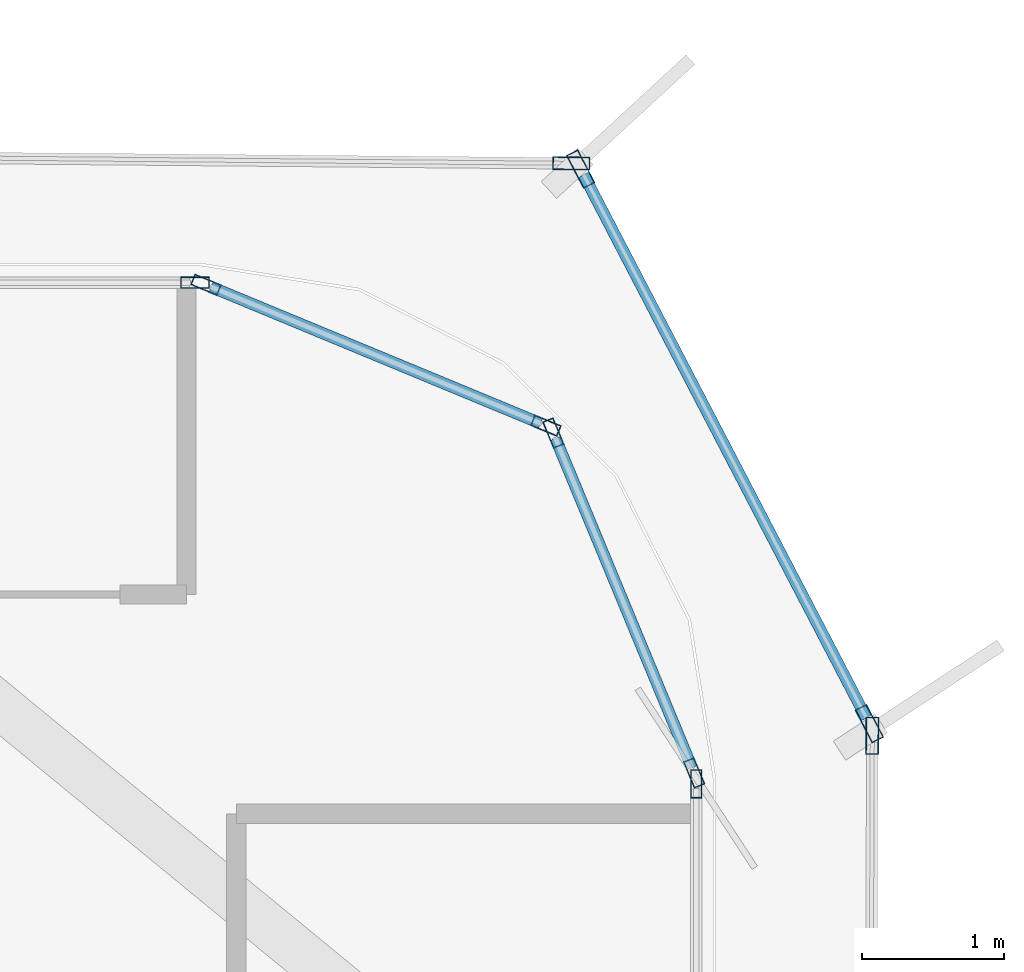
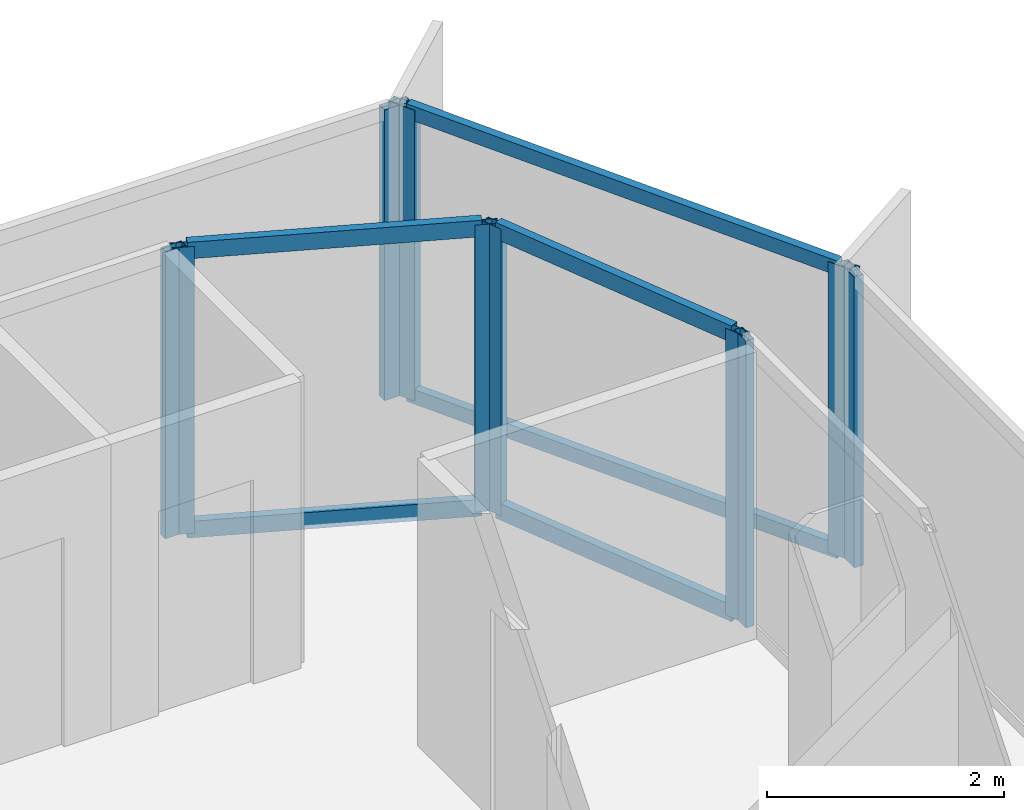
# One storey, part 8 of 15: 16 members, 7 elements without a shape of their own.
"""IFC4 building model written with IfcOpenShell, lengths in metres."""

from ifc_helpers import new_model, si_unit, direction, frame, origin, origin_2d, place, context, subcontext, project, spatial, hollow_rectangle, extrude, source, transform, mapped, material, layer, layer_set, material_profile, profile_set, type_object, element, aggregate, save


model = new_model("IFC4")

# Units and contexts
model_context = context("Model", 3, precision=1e-05, world=origin(), true_north=direction((0.0, 1.0)))
body_context = subcontext(model_context, "Body", "Model", "MODEL_VIEW")
ifc_project = project(units=[si_unit("LENGTHUNIT", "METRE"), si_unit("AREAUNIT", "SQUARE_METRE"), si_unit("VOLUMEUNIT", "CUBIC_METRE"), si_unit("PLANEANGLEUNIT", "RADIAN"), si_unit("MASSUNIT", "GRAM", prefix="KILO")], contexts=[model_context])

# Site, building, storey
site_placement = place(None, origin())
site = spatial("IfcSite", under=ifc_project, at=site_placement, CompositionType="ELEMENT")
building_placement = place(site_placement, origin())
building = spatial("IfcBuilding", under=site, at=building_placement, Name="Kolveth Station Tower", CompositionType="ELEMENT")
storey_placement = place(building_placement, frame((0.0, 0.0, 165.699951171875)))
storey = spatial("IfcBuildingStorey", under=building, at=storey_placement, Name="L46", CompositionType="ELEMENT", Elevation=165.699951171875)

# Curtain wall, member
ifc_material_1 = material(Name="Aluminium 6063-T6 and low-E dark glass", Category="aluminium")
ifc_layer_1 = layer(ifc_material_1, 0.18994140625)
ifc_layer_set_1 = layer_set([ifc_layer_1], Name="Aluminium 6063-T6 and low-E dark glass")
curtain_wall_type_1 = type_object("IfcCurtainWallType", Name="CurtainWall_CW-Z2", PredefinedType="NOTDEFINED", material=ifc_layer_set_1)
curtain_wall_1_placement = place(storey_placement, origin())
curtain_wall_1 = element("IfcCurtainWall", 1, at=curtain_wall_1_placement, inside=storey, type_object=curtain_wall_type_1, Name="L46 Inner Thermal Curtain Wall 3", PredefinedType="NOTDEFINED")
ifc_material_2 = material(Name="Black anodized aluminium 6063-T6", Category="aluminium")
ifc_material_profile_1 = material_profile(ifc_material_2, hollow_rectangle(XDim=0.080078125, YDim=0.199951171875, WallThickness=0.0048828125, at=origin_2d()), Name="ALU-80x200x5")
ifc_profile_set_1 = profile_set([ifc_material_profile_1], Name="Black anodized aluminium 6063-T6")
member_type_1 = type_object("IfcMemberType", Name="Mullion_ML2", PredefinedType="MULLION", material=ifc_profile_set_1)
shared_shape_1 = source(origin(), body_context, "Body", "SweptSolid", [
    extrude(hollow_rectangle(XDim=0.080078125, YDim=0.199951171875, WallThickness=0.0048828125, at=origin_2d()), origin(), (0.0, 0.0, 1.0), 2.949951171875),
])
member_1_placement = place(storey_placement, frame((41.679931640625, 31.659912109375, 0.0), z_axis=(0.0, 0.0, 1.0), x_axis=(-1.0, 0.0, 0.0)))
member_1 = element("IfcMember", 2, at=member_1_placement, type_object=member_type_1, Name="CW-Z2 mullion 2", PredefinedType="MULLION", context=body_context, shape_type="MappedRepresentation", body=[
    mapped(shared_shape_1, transform((0.0, 0.0, 0.0), x_axis=(1.0, 0.0, 0.0), y_axis=(0.0, 1.0, 0.0), z_axis=(0.0, 0.0, 1.0), scale=1.0)),
])
aggregate(curtain_wall_1, [member_1])

# Curtain wall, members
curtain_wall_2_placement = place(storey_placement, origin())
curtain_wall_2 = element("IfcCurtainWall", 3, at=curtain_wall_2_placement, inside=storey, type_object=curtain_wall_type_1, Name="L46 Inner Thermal Curtain Wall 4", PredefinedType="NOTDEFINED")
member_2_placement = place(storey_placement, frame((41.664794921875, 31.737060546875, 0.0), z_axis=(0.0, 0.0, 1.0), x_axis=(-0.923873600544, -0.382697753087, 0.0)))
member_2 = element("IfcMember", 4, at=member_2_placement, type_object=member_type_1, Name="CW-Z2 mullion 1", PredefinedType="MULLION", context=body_context, shape_type="MappedRepresentation", body=[
    mapped(shared_shape_1, transform((0.0, 0.0, 0.0), x_axis=(1.0, 0.0, 0.0), y_axis=(0.0, 1.0, 0.0), z_axis=(0.0, 0.0, 1.0), scale=1.0)),
])
member_3_placement = place(storey_placement, frame((40.676025390625, 34.123779296875, 0.0), z_axis=(0.0, 0.0, 1.0), x_axis=(-0.923873600544, -0.382697753087, 0.0)))
member_3 = element("IfcMember", 5, at=member_3_placement, type_object=member_type_1, Name="CW-Z2 mullion 2", PredefinedType="MULLION", context=body_context, shape_type="MappedRepresentation", body=[
    mapped(shared_shape_1, transform((0.0, 0.0, 0.0), x_axis=(1.0, 0.0, 0.0), y_axis=(0.0, 1.0, 0.0), z_axis=(0.0, 0.0, 1.0), scale=1.0)),
])

curtain_wall_3_placement = place(storey_placement, origin())
curtain_wall_3 = element("IfcCurtainWall", 6, at=curtain_wall_3_placement, inside=storey, type_object=curtain_wall_type_1, Name="L46 Inner Thermal Curtain Wall 5", PredefinedType="NOTDEFINED")
member_4_placement = place(storey_placement, frame((40.623779296875, 34.176025390625, 0.0), z_axis=(0.0, 0.0, 1.0), x_axis=(-0.382697753087, -0.923873600544, 0.0)))
member_4 = element("IfcMember", 7, at=member_4_placement, type_object=member_type_1, Name="CW-Z2 mullion 1", PredefinedType="MULLION", context=body_context, shape_type="MappedRepresentation", body=[
    mapped(shared_shape_1, transform((0.0, 0.0, 0.0), x_axis=(1.0, 0.0, 0.0), y_axis=(0.0, 1.0, 0.0), z_axis=(0.0, 0.0, 1.0), scale=1.0)),
])
member_5_placement = place(storey_placement, frame((38.237060546875, 35.164794921875, 0.0), z_axis=(0.0, 0.0, 1.0), x_axis=(-0.382697753087, -0.923873600544, 0.0)))
member_5 = element("IfcMember", 8, at=member_5_placement, type_object=member_type_1, Name="CW-Z2 mullion 2", PredefinedType="MULLION", context=body_context, shape_type="MappedRepresentation", body=[
    mapped(shared_shape_1, transform((0.0, 0.0, 0.0), x_axis=(1.0, 0.0, 0.0), y_axis=(0.0, 1.0, 0.0), z_axis=(0.0, 0.0, 1.0), scale=1.0)),
])

# Curtain wall, member
curtain_wall_4_placement = place(storey_placement, origin())
curtain_wall_4 = element("IfcCurtainWall", 9, at=curtain_wall_4_placement, inside=storey, type_object=curtain_wall_type_1, Name="L46 Inner Thermal Curtain Wall 6", PredefinedType="NOTDEFINED")
member_6_placement = place(storey_placement, frame((38.159912109375, 35.179931640625, 0.0), z_axis=(0.0, 0.0, 1.0), x_axis=(0.0, -1.0, 0.0)))
member_6 = element("IfcMember", 10, at=member_6_placement, type_object=member_type_1, Name="CW-Z2 mullion 1", PredefinedType="MULLION", context=body_context, shape_type="MappedRepresentation", body=[
    mapped(shared_shape_1, transform((0.0, 0.0, 0.0), x_axis=(1.0, 0.0, 0.0), y_axis=(0.0, 1.0, 0.0), z_axis=(0.0, 0.0, 1.0), scale=1.0)),
])
aggregate(curtain_wall_4, [member_6])

ifc_material_3 = material(Name="Black anodized aluminium 6063-T6 and dark solar glass", Category="aluminium")
ifc_layer_2 = layer(ifc_material_3, 0.159912109375)
ifc_layer_set_2 = layer_set([ifc_layer_2], Name="Black anodized aluminium 6063-T6 and dark solar glass")
curtain_wall_type_2 = type_object("IfcCurtainWallType", Name="OUTER SKIN CW-OS", PredefinedType="NOTDEFINED", material=ifc_layer_set_2)
curtain_wall_5_placement = place(storey_placement, origin())
curtain_wall_5 = element("IfcCurtainWall", 11, at=curtain_wall_5_placement, inside=storey, type_object=curtain_wall_type_2, Name="L46 Outer Ventilated Skin Curtain Wall 2", PredefinedType="NOTDEFINED")
ifc_material_profile_2 = material_profile(ifc_material_2, hollow_rectangle(XDim=0.090087890625, YDim=0.260009765625, WallThickness=0.0048828125, at=origin_2d()), Name="ALU-90x260x5")
ifc_profile_set_2 = profile_set([ifc_material_profile_2], Name="Black anodized aluminium 6063-T6")
member_type_2 = type_object("IfcMemberType", Name="FIN MULLION ML-OS", PredefinedType="MULLION", material=ifc_profile_set_2)
shared_shape_2 = source(origin(), body_context, "Body", "SweptSolid", [
    extrude(hollow_rectangle(XDim=0.090087890625, YDim=0.260009765625, WallThickness=0.0048828125, at=origin_2d()), origin(), (0.0, 0.0, 1.0), 2.989990234375),
])
member_7_placement = place(storey_placement, frame((42.915771484375, 31.99853515625, 0.0), z_axis=(0.0, 0.0, 1.0), x_axis=(-0.999992611462, 0.003844089101, 0.0)))
member_7 = element("IfcMember", 12, at=member_7_placement, type_object=member_type_2, Name="CW-OS mullion 2", PredefinedType="MULLION", context=body_context, shape_type="MappedRepresentation", body=[
    mapped(shared_shape_2, transform((0.0, 0.0, 0.0), x_axis=(1.0, 0.0, 0.0), y_axis=(0.0, 1.0, 0.0), z_axis=(0.0, 0.0, 1.0), scale=1.0)),
])
aggregate(curtain_wall_5, [member_7])

# Curtain wall, members
curtain_wall_6_placement = place(storey_placement, origin())
curtain_wall_6 = element("IfcCurtainWall", 13, at=curtain_wall_6_placement, inside=storey, type_object=curtain_wall_type_2, Name="L46 Outer Ventilated Skin Curtain Wall 3", PredefinedType="NOTDEFINED")
member_8_placement = place(storey_placement, frame((42.895263671875, 32.08349609375, 0.0), z_axis=(0.0, 0.0, 1.0), x_axis=(-0.88701314009, -0.461744181672, 0.0)))
member_8 = element("IfcMember", 14, at=member_8_placement, type_object=member_type_2, Name="CW-OS mullion 1", PredefinedType="MULLION", context=body_context, shape_type="MappedRepresentation", body=[
    mapped(shared_shape_2, transform((0.0, 0.0, 0.0), x_axis=(1.0, 0.0, 0.0), y_axis=(0.0, 1.0, 0.0), z_axis=(0.0, 0.0, 1.0), scale=1.0)),
])
member_9_placement = place(storey_placement, frame((40.8681640625, 35.977294921875, 0.0), z_axis=(0.0, 0.0, 1.0), x_axis=(-0.88701314009, -0.461744181672, 0.0)))
member_9 = element("IfcMember", 15, at=member_9_placement, type_object=member_type_2, Name="CW-OS mullion 2", PredefinedType="MULLION", context=body_context, shape_type="MappedRepresentation", body=[
    mapped(shared_shape_2, transform((0.0, 0.0, 0.0), x_axis=(1.0, 0.0, 0.0), y_axis=(0.0, 1.0, 0.0), z_axis=(0.0, 0.0, 1.0), scale=1.0)),
])

# Curtain wall, member
curtain_wall_7_placement = place(storey_placement, origin())
curtain_wall_7 = element("IfcCurtainWall", 16, at=curtain_wall_7_placement, inside=storey, type_object=curtain_wall_type_2, Name="L46 Outer Ventilated Skin Curtain Wall 4", PredefinedType="NOTDEFINED")
member_10_placement = place(storey_placement, frame((40.802490234375, 36.017578125, 0.0), z_axis=(0.0, 0.0, 1.0), x_axis=(-0.008960508835, -0.999959853835, 0.0)))
member_10 = element("IfcMember", 17, at=member_10_placement, type_object=member_type_2, Name="CW-OS mullion 1", PredefinedType="MULLION", context=body_context, shape_type="MappedRepresentation", body=[
    mapped(shared_shape_2, transform((0.0, 0.0, 0.0), x_axis=(1.0, 0.0, 0.0), y_axis=(0.0, 1.0, 0.0), z_axis=(0.0, 0.0, 1.0), scale=1.0)),
])
aggregate(curtain_wall_7, [member_10])

# Member
ifc_material_profile_3 = material_profile(ifc_material_2, hollow_rectangle(XDim=0.080078125, YDim=0.169921875, WallThickness=0.0048828125, at=origin_2d()), Name="ALU-80x170x5")
ifc_profile_set_3 = profile_set([ifc_material_profile_3], Name="Black anodized aluminium 6063-T6")
member_type_3 = type_object("IfcMemberType", Name="Transom_TR2", PredefinedType="USERDEFINED", material=ifc_profile_set_3)
shared_shape_3 = source(origin(), body_context, "Body", "SweptSolid", [
    extrude(hollow_rectangle(XDim=0.080078125, YDim=0.169921875, WallThickness=0.0048828125, at=origin_2d()), origin(), (0.0, 0.0, 1.0), 2.50341796875),
])
member_11_placement = place(storey_placement, frame((41.6494140625, 31.77392578125, 0.0400390625), z_axis=(-0.382696328882, 0.923874190494, 0.0), x_axis=(-0.923874190494, -0.382696328882, 0.0)))
member_11 = element("IfcMember", 18, at=member_11_placement, type_object=member_type_3, Name="CW-Z2 transom 1.1", ObjectType="TRANSOM", PredefinedType="USERDEFINED", context=body_context, shape_type="MappedRepresentation", body=[
    mapped(shared_shape_3, transform((0.0, 0.0, 0.0), x_axis=(1.0, 0.0, 0.0), y_axis=(0.0, 1.0, 0.0), z_axis=(0.0, 0.0, 1.0), scale=1.0)),
])

member_12_placement = place(storey_placement, frame((41.6494140625, 31.77392578125, 2.91015625), z_axis=(-0.382696328882, 0.923874190494, 0.0), x_axis=(-0.923874190494, -0.382696328882, 0.0)))
member_12 = element("IfcMember", 19, at=member_12_placement, type_object=member_type_3, Name="CW-Z2 transom 1.2", ObjectType="TRANSOM", PredefinedType="USERDEFINED", context=body_context, shape_type="MappedRepresentation", body=[
    mapped(shared_shape_3, transform((0.0, 0.0, 0.0), x_axis=(1.0, 0.0, 0.0), y_axis=(0.0, 1.0, 0.0), z_axis=(0.0, 0.0, 1.0), scale=1.0)),
])

aggregate(curtain_wall_2, [member_2, member_3, member_11, member_12])

member_13_placement = place(storey_placement, frame((40.586669921875, 34.19140625, 0.0400390625), z_axis=(-0.923874190494, 0.382696328882, 0.0), x_axis=(-0.382696328882, -0.923874190494, 0.0)))
member_13 = element("IfcMember", 20, at=member_13_placement, type_object=member_type_3, Name="CW-Z2 transom 1.1", ObjectType="TRANSOM", PredefinedType="USERDEFINED", context=body_context, shape_type="MappedRepresentation", body=[
    mapped(shared_shape_3, transform((0.0, 0.0, 0.0), x_axis=(1.0, 0.0, 0.0), y_axis=(0.0, 1.0, 0.0), z_axis=(0.0, 0.0, 1.0), scale=1.0)),
])

member_14_placement = place(storey_placement, frame((40.586669921875, 34.19140625, 2.91015625), z_axis=(-0.923874190494, 0.382696328882, 0.0), x_axis=(-0.382696328882, -0.923874190494, 0.0)))
member_14 = element("IfcMember", 21, at=member_14_placement, type_object=member_type_3, Name="CW-Z2 transom 1.2", ObjectType="TRANSOM", PredefinedType="USERDEFINED", context=body_context, shape_type="MappedRepresentation", body=[
    mapped(shared_shape_3, transform((0.0, 0.0, 0.0), x_axis=(1.0, 0.0, 0.0), y_axis=(0.0, 1.0, 0.0), z_axis=(0.0, 0.0, 1.0), scale=1.0)),
])

aggregate(curtain_wall_3, [member_4, member_5, member_13, member_14])

ifc_material_profile_4 = material_profile(ifc_material_2, hollow_rectangle(XDim=0.080078125, YDim=0.14990234375, WallThickness=0.0048828125, at=origin_2d()), Name="ALU-80x150x5")
ifc_profile_set_4 = profile_set([ifc_material_profile_4], Name="Black anodized aluminium 6063-T6")
member_type_4 = type_object("IfcMemberType", Name="Transom_TR-OS", PredefinedType="USERDEFINED", material=ifc_profile_set_4)
shared_shape_4 = source(origin(), body_context, "Body", "SweptSolid", [
    extrude(hollow_rectangle(XDim=0.080078125, YDim=0.14990234375, WallThickness=0.0048828125, at=origin_2d()), origin(), (0.0, 0.0, 1.0), 4.2998046875),
])
member_15_placement = place(storey_placement, frame((42.87451171875, 32.123291015625, 0.0400390625), z_axis=(-0.461735279655, 0.887017774073, 0.0), x_axis=(-0.887017774073, -0.461735279655, 0.0)))
member_15 = element("IfcMember", 22, at=member_15_placement, type_object=member_type_4, Name="CW-OS transom 1.1", ObjectType="TRANSOM", PredefinedType="USERDEFINED", context=body_context, shape_type="MappedRepresentation", body=[
    mapped(shared_shape_4, transform((0.0, 0.0, 0.0), x_axis=(1.0, 0.0, 0.0), y_axis=(0.0, 1.0, 0.0), z_axis=(0.0, 0.0, 1.0), scale=1.0)),
])

member_16_placement = place(storey_placement, frame((42.87451171875, 32.123291015625, 2.949951171875), z_axis=(-0.461735279655, 0.887017774073, 0.0), x_axis=(-0.887017774073, -0.461735279655, 0.0)))
member_16 = element("IfcMember", 23, at=member_16_placement, type_object=member_type_4, Name="CW-OS transom 1.2", ObjectType="TRANSOM", PredefinedType="USERDEFINED", context=body_context, shape_type="MappedRepresentation", body=[
    mapped(shared_shape_4, transform((0.0, 0.0, 0.0), x_axis=(1.0, 0.0, 0.0), y_axis=(0.0, 1.0, 0.0), z_axis=(0.0, 0.0, 1.0), scale=1.0)),
])

aggregate(curtain_wall_6, [member_8, member_9, member_15, member_16])

save(model, "model.ifc")
